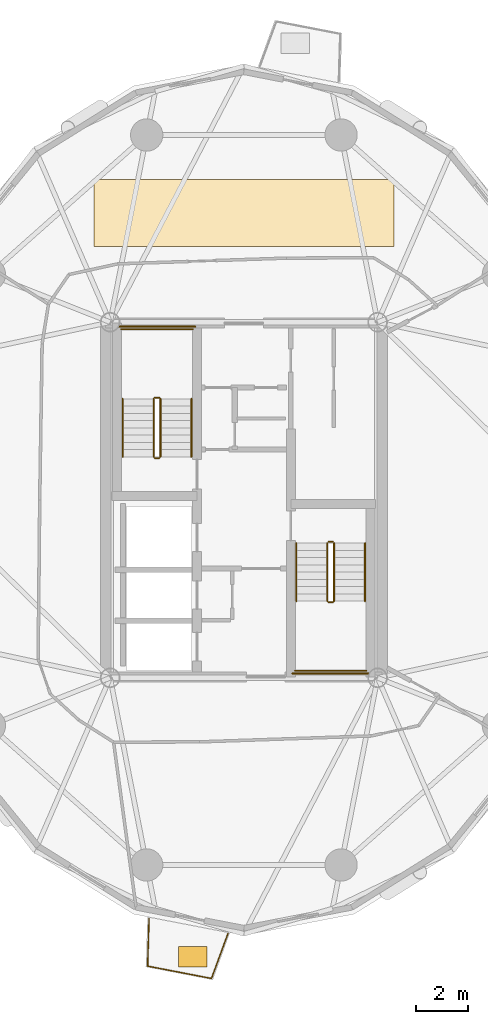
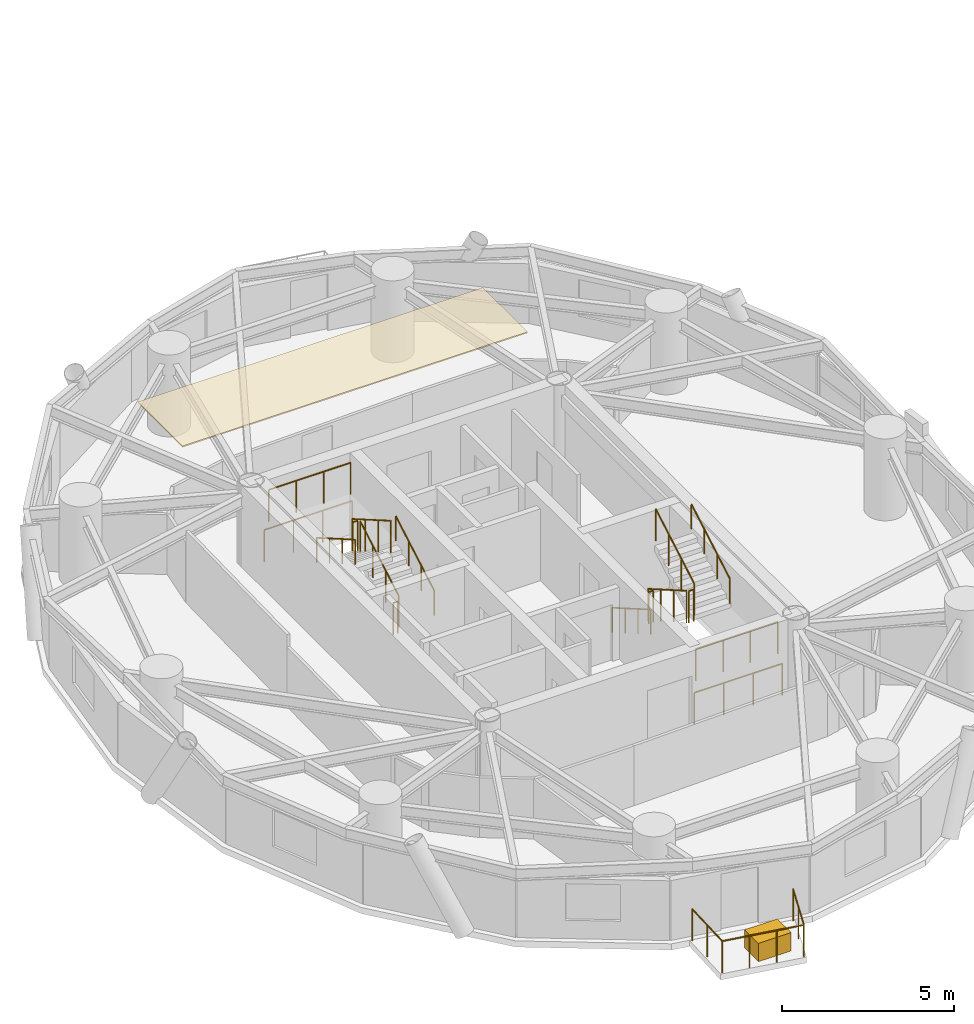
# One storey, part 13 of 15: 17 railings, 2 coverings.
"""IFC4 building model written with IfcOpenShell, lengths in metres."""

from ifc_helpers import new_model, si_unit, direction, frame, origin, origin_2d, place, context, subcontext, project, spatial, polyline, rectangle, circle, outline, extrude, source, transform, mapped, material, layer, layer_set, type_object, element, save


model = new_model("IFC4")

# Units and contexts
model_context = context("Model", 3, precision=1e-05, world=origin(), true_north=direction((0.0, 1.0)))
body_context = subcontext(model_context, "Body", "Model", "MODEL_VIEW")
ifc_project = project(units=[si_unit("LENGTHUNIT", "METRE"), si_unit("AREAUNIT", "SQUARE_METRE"), si_unit("VOLUMEUNIT", "CUBIC_METRE"), si_unit("PLANEANGLEUNIT", "RADIAN"), si_unit("MASSUNIT", "GRAM", prefix="KILO")], contexts=[model_context])

# Site, building, storey
site_placement = place(None, origin())
site = spatial("IfcSite", under=ifc_project, at=site_placement, CompositionType="ELEMENT")
building_placement = place(site_placement, origin())
building = spatial("IfcBuilding", under=site, at=building_placement, Name="Cununo Teusaquillo Station Towers", CompositionType="ELEMENT")
storey_placement = place(building_placement, frame((0.0, 0.0, 189.429931640625)))
storey = spatial("IfcBuildingStorey", under=building, at=storey_placement, Name="L60", CompositionType="ELEMENT", Elevation=189.429931640625)

# Covering
ifc_material_1 = material(Name="Mineral-fibre acoustic suspended ceiling tile", Category="finish")
ifc_layer_1 = layer(ifc_material_1, 0.044921875)
ifc_layer_set_1 = layer_set([ifc_layer_1], Name="Mineral-fibre acoustic suspended ceiling tile")
covering_type_1 = type_object("IfcCoveringType", Name="COV-CEIL-600", PredefinedType="CEILING", material=ifc_layer_set_1)
covering_1_placement = place(storey_placement, frame((0.0, 0.0, 2.525146484375)))
element("IfcCovering", 1, at=covering_1_placement, inside=storey, type_object=covering_type_1, Name="L60 Tower A Acoustic Ceiling", PredefinedType="CEILING", context=body_context, shape_type="SweptSolid", body=[
    extrude(outline(polyline([(22.300048828125, 36.89990234375), (22.300048828125, 34.300048828125), (10.699951171875, 34.300048828125), (10.699951171875, 36.89990234375), (22.300048828125, 36.89990234375)])), origin(), (0.0, 0.0, 1.0), 0.044921875),
])

# Railings
ifc_material_2 = material(Name="Anodised dark bronze aluminium EN AW-6063-T6", Category="aluminium")
railing_type_1 = type_object("IfcRailingType", Name="RL-EXT-GUARD", PredefinedType="GUARDRAIL", material=ifc_material_2)
railing_1_placement = place(storey_placement, frame((15.883544921875, 7.72265625, 0.0)))
element("IfcRailing", 2, at=railing_1_placement, inside=storey, type_object=railing_type_1, Name="L60 Tower A Balcony Guardrail C14", PredefinedType="GUARDRAIL", context=body_context, shape_type="SweptSolid", body=[
    extrude(circle(Radius=0.02392578125, at=origin_2d()), frame((0.0, 0.0, 1.1259765625), z_axis=(-0.3440608985, -0.938947335117, 0.0), x_axis=(0.938947335117, -0.3440608985, 0.0)), (0.0, 0.0, 1.0), 1.851318359375),
    extrude(circle(Radius=0.02392578125, at=origin_2d()), frame((-0.636962890625, -1.73828125, 1.1259765625), z_axis=(-0.981842829823, 0.189696224332, 0.0), x_axis=(-0.189696224332, -0.981842829823, 0.0)), (0.0, 0.0, 1.0), 2.517333984375),
    extrude(circle(Radius=0.02392578125, at=origin_2d()), frame((-3.108642578125, -1.2607421875, 1.1259765625), z_axis=(0.030460792522, 0.999535962394, 0.0), x_axis=(-0.999535962394, 0.030460792522, 0.0)), (0.0, 0.0, 1.0), 1.8515625),
    extrude(circle(Radius=0.02099609375, at=origin_2d()), origin(), (0.0, 0.0, 1.0), 1.101806640625),
    extrude(circle(Radius=0.02099609375, at=origin_2d()), frame((-0.318359375, -0.869140625, 0.0)), (0.0, 0.0, 1.0), 1.101806640625),
    extrude(circle(Radius=0.02099609375, at=origin_2d()), frame((-0.636962890625, -1.73828125, 0.0)), (0.0, 0.0, 1.0), 1.101806640625),
    extrude(circle(Radius=0.02099609375, at=origin_2d()), frame((-1.4609375, -1.5791015625, 0.0)), (0.0, 0.0, 1.0), 1.101806640625),
    extrude(circle(Radius=0.02099609375, at=origin_2d()), frame((-2.28466796875, -1.419921875, 0.0)), (0.0, 0.0, 1.0), 1.101806640625),
    extrude(circle(Radius=0.02099609375, at=origin_2d()), frame((-3.108642578125, -1.2607421875, 0.0)), (0.0, 0.0, 1.0), 1.101806640625),
    extrude(circle(Radius=0.02099609375, at=origin_2d()), frame((-3.08056640625, -0.33544921875, 0.0)), (0.0, 0.0, 1.0), 1.101806640625),
    extrude(circle(Radius=0.02099609375, at=origin_2d()), frame((-3.05224609375, 0.58984375, 0.0)), (0.0, 0.0, 1.0), 1.101806640625),
])
ifc_material_3 = material(Name="Steel EN 10025-2 S355J2", Category="steel")
railing_type_2 = type_object("IfcRailingType", Name="RL-INT-GUARD", PredefinedType="GUARDRAIL", material=ifc_material_3)
railing_2_placement = place(storey_placement, frame((13.27001953125, 26.169921875, 0.16162109375)))
element("IfcRailing", 3, at=railing_2_placement, inside=storey, type_object=railing_type_2, Name="L60 ST-T1-1 stair guard 1", PredefinedType="GUARDRAIL", context=body_context, shape_type="SweptSolid", body=[
    extrude(circle(Radius=0.02392578125, at=origin_2d()), frame((0.0, 0.0, 1.1259765625), z_axis=(0.0, 0.865992244559, 0.500057429065), x_axis=(-1.0, 0.0, 0.0)), (0.0, 0.0, 1.0), 2.586669921875),
    extrude(circle(Radius=0.02099609375, at=origin_2d()), origin(), (0.0, 0.0, 1.0), 1.101806640625),
    extrude(circle(Radius=0.02099609375, at=origin_2d()), frame((0.0, 0.74658203125, 0.43115234375)), (0.0, 0.0, 1.0), 1.101806640625),
    extrude(circle(Radius=0.02099609375, at=origin_2d()), frame((0.0, 1.493408203125, 0.8623046875)), (0.0, 0.0, 1.0), 1.101806640625),
    extrude(circle(Radius=0.02099609375, at=origin_2d()), frame((0.0, 2.239990234375, 1.29345703125)), (0.0, 0.0, 1.0), 1.101806640625),
])
railing_3_placement = place(storey_placement, frame((13.219970703125, 28.4599609375, 1.455078125)))
element("IfcRailing", 4, at=railing_3_placement, inside=storey, type_object=railing_type_2, Name="L60 ST-T1-1 stair guard 2", PredefinedType="GUARDRAIL", context=body_context, shape_type="SweptSolid", body=[
    extrude(circle(Radius=0.02392578125, at=origin_2d()), frame((0.0, 0.0, 1.1259765625), z_axis=(-1.0, 0.0, 0.0), x_axis=(0.0, -1.0, 0.0)), (0.0, 0.0, 1.0), 0.159912109375),
    extrude(circle(Radius=0.02099609375, at=origin_2d()), origin(), (0.0, 0.0, 1.0), 1.101806640625),
    extrude(circle(Radius=0.02099609375, at=origin_2d()), frame((-0.159912109375, 0.0, 0.0)), (0.0, 0.0, 1.0), 1.101806640625),
])
railing_4_placement = place(storey_placement, frame((14.52001953125, 31.110107421875, 1.455078125)))
element("IfcRailing", 5, at=railing_4_placement, inside=storey, type_object=railing_type_2, Name="L60 ST-T1-1 stair guard 3", PredefinedType="GUARDRAIL", context=body_context, shape_type="SweptSolid", body=[
    extrude(circle(Radius=0.02392578125, at=origin_2d()), frame((0.0, 0.0, 1.1259765625), z_axis=(-1.0, 0.0, 0.0), x_axis=(0.0, -1.0, 0.0)), (0.0, 0.0, 1.0), 2.760009765625),
    extrude(circle(Radius=0.02099609375, at=origin_2d()), origin(), (0.0, 0.0, 1.0), 1.101806640625),
    extrude(circle(Radius=0.02099609375, at=origin_2d()), frame((-0.919921875, 0.0, 0.0)), (0.0, 0.0, 1.0), 1.101806640625),
    extrude(circle(Radius=0.02099609375, at=origin_2d()), frame((-1.840087890625, 0.0, 0.0)), (0.0, 0.0, 1.0), 1.101806640625),
    extrude(circle(Radius=0.02099609375, at=origin_2d()), frame((-2.760009765625, 0.0, 0.0)), (0.0, 0.0, 1.0), 1.101806640625),
])
railing_5_placement = place(storey_placement, frame((13.010009765625, 28.409912109375, 1.61669921875)))
element("IfcRailing", 6, at=railing_5_placement, inside=storey, type_object=railing_type_2, Name="L60 ST-T1-1 stair guard 4", PredefinedType="GUARDRAIL", context=body_context, shape_type="SweptSolid", body=[
    extrude(circle(Radius=0.02392578125, at=origin_2d()), frame((0.0, 0.0, 1.1259765625), z_axis=(0.0, -0.865992244559, 0.500057429065), x_axis=(1.0, 0.0, 0.0)), (0.0, 0.0, 1.0), 2.586669921875),
    extrude(circle(Radius=0.02099609375, at=origin_2d()), origin(), (0.0, 0.0, 1.0), 1.101806640625),
    extrude(circle(Radius=0.02099609375, at=origin_2d()), frame((0.0, -0.74658203125, 0.43115234375)), (0.0, 0.0, 1.0), 1.101806640625),
    extrude(circle(Radius=0.02099609375, at=origin_2d()), frame((0.0, -1.493408203125, 0.8623046875)), (0.0, 0.0, 1.0), 1.101806640625),
    extrude(circle(Radius=0.02099609375, at=origin_2d()), frame((0.0, -2.239990234375, 1.29345703125)), (0.0, 0.0, 1.0), 1.101806640625),
])
railing_6_placement = place(storey_placement, frame((13.219970703125, 26.1201171875, 0.0)))
element("IfcRailing", 7, at=railing_6_placement, inside=storey, type_object=railing_type_2, Name="L60 ST-T1-1 stair guard 5", PredefinedType="GUARDRAIL", context=body_context, shape_type="SweptSolid", body=[
    extrude(circle(Radius=0.02392578125, at=origin_2d()), frame((0.0, 0.0, 1.1259765625), z_axis=(-1.0, 0.0, 0.0), x_axis=(0.0, -1.0, 0.0)), (0.0, 0.0, 1.0), 0.159912109375),
    extrude(circle(Radius=0.02099609375, at=origin_2d()), origin(), (0.0, 0.0, 1.0), 1.101806640625),
    extrude(circle(Radius=0.02099609375, at=origin_2d()), frame((-0.159912109375, 0.0, 0.0)), (0.0, 0.0, 1.0), 1.101806640625),
])
railing_7_placement = place(storey_placement, frame((14.6201171875, 31.2099609375, 0.0)))
element("IfcRailing", 8, at=railing_7_placement, inside=storey, type_object=railing_type_2, Name="L60 ST-T1-1 stair guard 6", PredefinedType="GUARDRAIL", context=body_context, shape_type="SweptSolid", body=[
    extrude(circle(Radius=0.02392578125, at=origin_2d()), frame((0.0, 0.0, 1.1259765625), z_axis=(-1.0, 0.0, 0.0), x_axis=(0.0, -1.0, 0.0)), (0.0, 0.0, 1.0), 2.960205078125),
    extrude(circle(Radius=0.02099609375, at=origin_2d()), origin(), (0.0, 0.0, 1.0), 1.101806640625),
    extrude(circle(Radius=0.02099609375, at=origin_2d()), frame((-0.98681640625, 0.0, 0.0)), (0.0, 0.0, 1.0), 1.101806640625),
    extrude(circle(Radius=0.02099609375, at=origin_2d()), frame((-1.973388671875, 0.0, 0.0)), (0.0, 0.0, 1.0), 1.101806640625),
    extrude(circle(Radius=0.02099609375, at=origin_2d()), frame((-2.960205078125, 0.0, 0.0)), (0.0, 0.0, 1.0), 1.101806640625),
])
railing_8_placement = place(storey_placement, frame((19.72998046875, 22.830078125, 0.16162109375)))
element("IfcRailing", 9, at=railing_8_placement, inside=storey, type_object=railing_type_2, Name="L60 ST-T1-2 stair guard 1", PredefinedType="GUARDRAIL", context=body_context, shape_type="SweptSolid", body=[
    extrude(circle(Radius=0.02392578125, at=origin_2d()), frame((0.0, 0.0, 1.1259765625), z_axis=(0.0, -0.865992244559, 0.500057429065), x_axis=(1.0, 0.0, 0.0)), (0.0, 0.0, 1.0), 2.586669921875),
    extrude(circle(Radius=0.02099609375, at=origin_2d()), origin(), (0.0, 0.0, 1.0), 1.101806640625),
    extrude(circle(Radius=0.02099609375, at=origin_2d()), frame((0.0, -0.74658203125, 0.43115234375)), (0.0, 0.0, 1.0), 1.101806640625),
    extrude(circle(Radius=0.02099609375, at=origin_2d()), frame((0.0, -1.493408203125, 0.8623046875)), (0.0, 0.0, 1.0), 1.101806640625),
    extrude(circle(Radius=0.02099609375, at=origin_2d()), frame((0.0, -2.239990234375, 1.29345703125)), (0.0, 0.0, 1.0), 1.101806640625),
])
railing_9_placement = place(storey_placement, frame((19.780029296875, 20.5400390625, 1.455078125)))
element("IfcRailing", 10, at=railing_9_placement, inside=storey, type_object=railing_type_2, Name="L60 ST-T1-2 stair guard 2", PredefinedType="GUARDRAIL", context=body_context, shape_type="SweptSolid", body=[
    extrude(circle(Radius=0.02392578125, at=origin_2d()), frame((0.0, 0.0, 1.1259765625), z_axis=(1.0, 0.0, 0.0), x_axis=(0.0, 1.0, 0.0)), (0.0, 0.0, 1.0), 0.159912109375),
    extrude(circle(Radius=0.02099609375, at=origin_2d()), origin(), (0.0, 0.0, 1.0), 1.101806640625),
    extrude(circle(Radius=0.02099609375, at=origin_2d()), frame((0.159912109375, 0.0, 0.0)), (0.0, 0.0, 1.0), 1.101806640625),
])
railing_10_placement = place(storey_placement, frame((18.47998046875, 17.889892578125, 1.455078125)))
element("IfcRailing", 11, at=railing_10_placement, inside=storey, type_object=railing_type_2, Name="L60 ST-T1-2 stair guard 3", PredefinedType="GUARDRAIL", context=body_context, shape_type="SweptSolid", body=[
    extrude(circle(Radius=0.02392578125, at=origin_2d()), frame((0.0, 0.0, 1.1259765625), z_axis=(1.0, 0.0, 0.0), x_axis=(0.0, 1.0, 0.0)), (0.0, 0.0, 1.0), 2.760009765625),
    extrude(circle(Radius=0.02099609375, at=origin_2d()), origin(), (0.0, 0.0, 1.0), 1.101806640625),
    extrude(circle(Radius=0.02099609375, at=origin_2d()), frame((0.919921875, 0.0, 0.0)), (0.0, 0.0, 1.0), 1.101806640625),
    extrude(circle(Radius=0.02099609375, at=origin_2d()), frame((1.840087890625, 0.0, 0.0)), (0.0, 0.0, 1.0), 1.101806640625),
    extrude(circle(Radius=0.02099609375, at=origin_2d()), frame((2.760009765625, 0.0, 0.0)), (0.0, 0.0, 1.0), 1.101806640625),
])
railing_11_placement = place(storey_placement, frame((19.989990234375, 20.590087890625, 1.61669921875)))
element("IfcRailing", 12, at=railing_11_placement, inside=storey, type_object=railing_type_2, Name="L60 ST-T1-2 stair guard 4", PredefinedType="GUARDRAIL", context=body_context, shape_type="SweptSolid", body=[
    extrude(circle(Radius=0.02392578125, at=origin_2d()), frame((0.0, 0.0, 1.1259765625), z_axis=(0.0, 0.865992244559, 0.500057429065), x_axis=(-1.0, 0.0, 0.0)), (0.0, 0.0, 1.0), 2.586669921875),
    extrude(circle(Radius=0.02099609375, at=origin_2d()), origin(), (0.0, 0.0, 1.0), 1.101806640625),
    extrude(circle(Radius=0.02099609375, at=origin_2d()), frame((0.0, 0.74658203125, 0.43115234375)), (0.0, 0.0, 1.0), 1.101806640625),
    extrude(circle(Radius=0.02099609375, at=origin_2d()), frame((0.0, 1.493408203125, 0.8623046875)), (0.0, 0.0, 1.0), 1.101806640625),
    extrude(circle(Radius=0.02099609375, at=origin_2d()), frame((0.0, 2.239990234375, 1.29345703125)), (0.0, 0.0, 1.0), 1.101806640625),
])
railing_12_placement = place(storey_placement, frame((19.780029296875, 22.8798828125, 0.0)))
element("IfcRailing", 13, at=railing_12_placement, inside=storey, type_object=railing_type_2, Name="L60 ST-T1-2 stair guard 5", PredefinedType="GUARDRAIL", context=body_context, shape_type="SweptSolid", body=[
    extrude(circle(Radius=0.02392578125, at=origin_2d()), frame((0.0, 0.0, 1.1259765625), z_axis=(1.0, 0.0, 0.0), x_axis=(0.0, 1.0, 0.0)), (0.0, 0.0, 1.0), 0.159912109375),
    extrude(circle(Radius=0.02099609375, at=origin_2d()), origin(), (0.0, 0.0, 1.0), 1.101806640625),
    extrude(circle(Radius=0.02099609375, at=origin_2d()), frame((0.159912109375, 0.0, 0.0)), (0.0, 0.0, 1.0), 1.101806640625),
])
railing_13_placement = place(storey_placement, frame((18.3798828125, 17.7900390625, 0.0)))
element("IfcRailing", 14, at=railing_13_placement, inside=storey, type_object=railing_type_2, Name="L60 ST-T1-2 stair guard 6", PredefinedType="GUARDRAIL", context=body_context, shape_type="SweptSolid", body=[
    extrude(circle(Radius=0.02392578125, at=origin_2d()), frame((0.0, 0.0, 1.1259765625), z_axis=(1.0, 0.0, 0.0), x_axis=(0.0, 1.0, 0.0)), (0.0, 0.0, 1.0), 2.960205078125),
    extrude(circle(Radius=0.02099609375, at=origin_2d()), origin(), (0.0, 0.0, 1.0), 1.101806640625),
    extrude(circle(Radius=0.02099609375, at=origin_2d()), frame((0.98681640625, 0.0, 0.0)), (0.0, 0.0, 1.0), 1.101806640625),
    extrude(circle(Radius=0.02099609375, at=origin_2d()), frame((1.973388671875, 0.0, 0.0)), (0.0, 0.0, 1.0), 1.101806640625),
    extrude(circle(Radius=0.02099609375, at=origin_2d()), frame((2.960205078125, 0.0, 0.0)), (0.0, 0.0, 1.0), 1.101806640625),
])
ifc_material_4 = material(Name="Steel EN 10025-2 S355J2", Category="steel")
railing_type_3 = type_object("IfcRailingType", Name="RL-INT-HRAIL", PredefinedType="HANDRAIL", material=ifc_material_4)
railing_14_placement = place(storey_placement, frame((14.469970703125, 26.169921875, 0.16162109375)))
element("IfcRailing", 15, at=railing_14_placement, inside=storey, type_object=railing_type_3, Name="L60 ST-T1-1 stair handrail 1", PredefinedType="HANDRAIL", context=body_context, shape_type="SweptSolid", body=[
    extrude(circle(Radius=0.02392578125, at=origin_2d()), frame((0.0, 0.0, 0.8759765625), z_axis=(0.0, 0.865992244559, 0.500057429065), x_axis=(-1.0, 0.0, 0.0)), (0.0, 0.0, 1.0), 2.586669921875),
    extrude(circle(Radius=0.02099609375, at=origin_2d()), origin(), (0.0, 0.0, 1.0), 0.851806640625),
    extrude(circle(Radius=0.02099609375, at=origin_2d()), frame((0.0, 0.74658203125, 0.43115234375)), (0.0, 0.0, 1.0), 0.851806640625),
    extrude(circle(Radius=0.02099609375, at=origin_2d()), frame((0.0, 1.493408203125, 0.8623046875)), (0.0, 0.0, 1.0), 0.851806640625),
    extrude(circle(Radius=0.02099609375, at=origin_2d()), frame((0.0, 2.239990234375, 1.29345703125)), (0.0, 0.0, 1.0), 0.851806640625),
])
for number, where, name in (
    (16, (11.81005859375, 28.409912109375, 1.61669921875), "L60 ST-T1-1 stair handrail 2"),
    (17, (18.530029296875, 22.830078125, 0.16162109375), "L60 ST-T1-2 stair handrail 1"),
):
    element("IfcRailing", number, at=place(storey_placement, frame(where)), inside=storey, type_object=railing_type_3, Name=name, PredefinedType="HANDRAIL", context=body_context, shape_type="SweptSolid", body=[
        extrude(circle(Radius=0.02392578125, at=origin_2d()), frame((0.0, 0.0, 0.8759765625), z_axis=(0.0, -0.865992244559, 0.500057429065), x_axis=(1.0, 0.0, 0.0)), (0.0, 0.0, 1.0), 2.586669921875),
        extrude(circle(Radius=0.02099609375, at=origin_2d()), origin(), (0.0, 0.0, 1.0), 0.851806640625),
        extrude(circle(Radius=0.02099609375, at=origin_2d()), frame((0.0, -0.74658203125, 0.43115234375)), (0.0, 0.0, 1.0), 0.851806640625),
        extrude(circle(Radius=0.02099609375, at=origin_2d()), frame((0.0, -1.493408203125, 0.8623046875)), (0.0, 0.0, 1.0), 0.851806640625),
        extrude(circle(Radius=0.02099609375, at=origin_2d()), frame((0.0, -2.239990234375, 1.29345703125)), (0.0, 0.0, 1.0), 0.851806640625),
    ])
railing_15_placement = place(storey_placement, frame((21.18994140625, 20.590087890625, 1.61669921875)))
element("IfcRailing", 18, at=railing_15_placement, inside=storey, type_object=railing_type_3, Name="L60 ST-T1-2 stair handrail 2", PredefinedType="HANDRAIL", context=body_context, shape_type="SweptSolid", body=[
    extrude(circle(Radius=0.02392578125, at=origin_2d()), frame((0.0, 0.0, 0.8759765625), z_axis=(0.0, 0.865992244559, 0.500057429065), x_axis=(-1.0, 0.0, 0.0)), (0.0, 0.0, 1.0), 2.586669921875),
    extrude(circle(Radius=0.02099609375, at=origin_2d()), origin(), (0.0, 0.0, 1.0), 0.851806640625),
    extrude(circle(Radius=0.02099609375, at=origin_2d()), frame((0.0, 0.74658203125, 0.43115234375)), (0.0, 0.0, 1.0), 0.851806640625),
    extrude(circle(Radius=0.02099609375, at=origin_2d()), frame((0.0, 1.493408203125, 0.8623046875)), (0.0, 0.0, 1.0), 0.851806640625),
    extrude(circle(Radius=0.02099609375, at=origin_2d()), frame((0.0, 2.239990234375, 1.29345703125)), (0.0, 0.0, 1.0), 0.851806640625),
])

# Covering
ifc_material_5 = material(Name="Architectural GRC planter shell and engineered root-zone substrate", Category="concrete")
ifc_layer_2 = layer(ifc_material_5, 0.64990234375)
ifc_layer_set_2 = layer_set([ifc_layer_2], Name="Architectural GRC planter shell and engineered root-zone substrate")
covering_type_2 = type_object("IfcCoveringType", Name="COV-TREE-PLANTER", PredefinedType="CLADDING", material=ifc_layer_set_2)
shared_shape = source(origin(), body_context, "Body", "SweptSolid", [
    extrude(rectangle(XDim=1.10009765625, YDim=0.800048828125, at=origin_2d()), origin(), (0.0, 0.0, 1.0), 0.64990234375),
])
covering_2_placement = place(storey_placement, frame((14.51904296875, 6.82421875, 0.0), z_axis=(0.0, 0.0, 1.0), x_axis=(1.0, 0.0, 0.0)))
element("IfcCovering", 19, at=covering_2_placement, inside=storey, type_object=covering_type_2, Name="L60 Tower A Balcony Tree PLANTER C14", PredefinedType="CLADDING", context=body_context, shape_type="MappedRepresentation", body=[
    mapped(shared_shape, transform((0.0, 0.0, 0.0), x_axis=(1.0, 0.0, 0.0), y_axis=(0.0, 1.0, 0.0), z_axis=(0.0, 0.0, 1.0), scale=1.0)),
])

save(model, "model.ifc")
